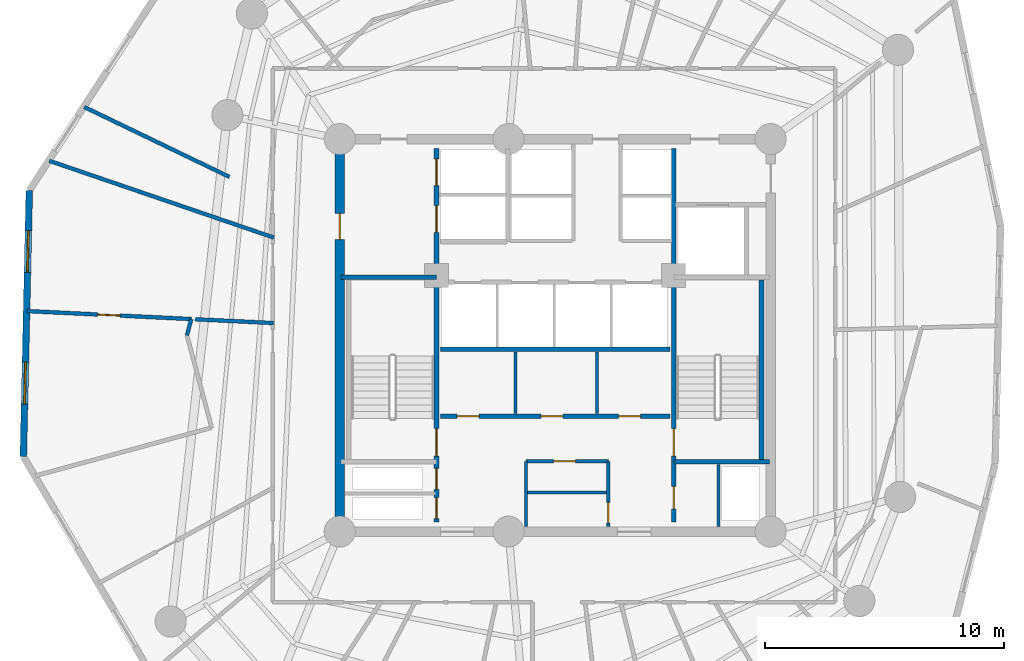
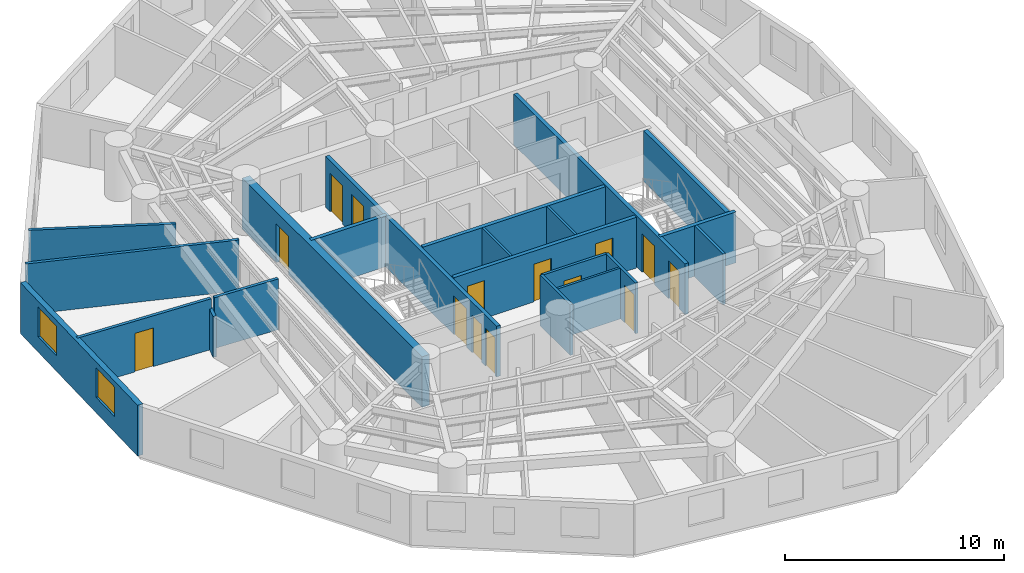
# One storey, part 4 of 8: 21 walls, 14 doors, 2 windows, 16 openings.
"""IFC4 building model written with IfcOpenShell, lengths in metres."""

from ifc_helpers import new_model, si_unit, direction, frame, frame_2d, origin, origin_with_axes, place, context, subcontext, project, spatial, rectangle, extrude, source, transform, mapped, material, layer, layer_set, type_object, element, fill, save


model = new_model("IFC4")

# Units and contexts
model_context = context("Model", 3, precision=1e-05, world=origin(), true_north=direction((0.0, 1.0)))
body_context = subcontext(model_context, "Body", "Model", "MODEL_VIEW")
ifc_project = project(units=[si_unit("LENGTHUNIT", "METRE"), si_unit("AREAUNIT", "SQUARE_METRE"), si_unit("VOLUMEUNIT", "CUBIC_METRE"), si_unit("PLANEANGLEUNIT", "RADIAN"), si_unit("MASSUNIT", "GRAM", prefix="KILO")], contexts=[model_context])

# Site, building, storey
site_placement = place(None, origin())
site = spatial("IfcSite", under=ifc_project, at=site_placement, CompositionType="ELEMENT")
building_placement = place(site_placement, origin())
building = spatial("IfcBuilding", under=site, at=building_placement, Name="Karkom Vertical University and Central Library", CompositionType="ELEMENT")
storey_placement = place(building_placement, frame((0.0, 0.0, 184.0)))
storey = spatial("IfcBuildingStorey", under=building, at=storey_placement, Name="L53", CompositionType="ELEMENT", Elevation=184.0)

# Wall, openings, windows
ifc_material_1 = material(Name="Brick-faced precast concrete C45/55", Category="masonry")
ifc_layer_1 = layer(ifc_material_1, 0.280029296875)
ifc_layer_set_1 = layer_set([ifc_layer_1], Name="Brick-faced precast concrete C45/55")
wall_type_1 = type_object("IfcWallType", Name="ENV-WL-BRK-280", PredefinedType="SOLIDWALL", material=ifc_layer_set_1)
wall_1_placement = place(storey_placement, frame((6.53076171875, 32.55322265625, 0.0), z_axis=(0.0, 0.0, 1.0), x_axis=(-0.022346429662, -0.999750287362, 0.0)))
wall_1 = element("IfcWall", 1, at=wall_1_placement, inside=storey, type_object=wall_type_1, Name="Level 53 Brick-Faced Precast Facade Wall 01", PredefinedType="SOLIDWALL", context=body_context, shape_type="SweptSolid", body=[
    extrude(rectangle(XDim=11.121826171875, YDim=0.280029296875, at=frame_2d((5.56103515625, 0.0))), origin(), (0.0, 0.0, 1.0), 2.824951171875),
])
opening_1_placement = place(wall_1_placement, frame((1.675537109375, 0.0, 0.85009765625)))
opening_1 = element("IfcOpeningElement", 2, at=opening_1_placement, cuts=wall_1, Name="Opening WN-08", PredefinedType="OPENING", context=body_context, shape_type="SweptSolid", body=[
    extrude(rectangle(XDim=1.75, YDim=1.64990234375, at=frame_2d((0.875, 0.824951171875))), frame((0.0, 0.14990234375, 0.0), z_axis=(0.0, -1.0, 0.0), x_axis=(1.0, 0.0, 0.0)), (0.0, 0.0, 1.0), 0.300048828125),
])
opening_2_placement = place(wall_1_placement, frame((7.176513671875, 0.0, 0.85009765625)))
opening_2 = element("IfcOpeningElement", 3, at=opening_2_placement, cuts=wall_1, Name="Opening WN-08", PredefinedType="OPENING", context=body_context, shape_type="SweptSolid", body=[
    extrude(rectangle(XDim=1.75, YDim=1.64990234375, at=frame_2d((0.875, 0.824951171875))), frame((0.0, 0.14990234375, 0.0), z_axis=(0.0, -1.0, 0.0), x_axis=(1.0, 0.0, 0.0)), (0.0, 0.0, 1.0), 0.300048828125),
])
ifc_material_2 = material(Name="Aluminium thermal-break frame with solar-control IGU", Category="aluminium")
window_type = type_object("IfcWindowType", Name="ENV-WIN-WN-08", PartitioningType="SINGLE_PANEL", PredefinedType="WINDOW", material=ifc_material_2)
shared_shape_1 = source(origin_with_axes(), body_context, "Body", "SweptSolid", [
    extrude(rectangle(XDim=1.75, YDim=1.64990234375, at=frame_2d((0.875, 0.824951171875))), frame((0.0, 0.030029296875, 0.0), z_axis=(0.0, -1.0, 0.0), x_axis=(1.0, 0.0, 0.0)), (0.0, 0.0, 1.0), 0.06005859375),
])
window_1_placement = place(opening_1_placement, origin())
window_1 = element("IfcWindow", 4, at=window_1_placement, inside=storey, type_object=window_type, Name="Level 53 Punched Window 1.1", OverallHeight=1.64990234375, OverallWidth=1.75, PartitioningType="SINGLE_PANEL", PredefinedType="WINDOW", context=body_context, shape_type="MappedRepresentation", body=[
    mapped(shared_shape_1, transform((0.0, 0.0, 0.0), scale=1.0)),
])
fill(opening_1, window_1)
window_2_placement = place(opening_2_placement, origin())
window_2 = element("IfcWindow", 5, at=window_2_placement, inside=storey, type_object=window_type, Name="Level 53 Punched Window 1.2", OverallHeight=1.64990234375, OverallWidth=1.75, PartitioningType="SINGLE_PANEL", PredefinedType="WINDOW", context=body_context, shape_type="MappedRepresentation", body=[
    mapped(shared_shape_1, transform((0.0, 0.0, 0.0), scale=1.0)),
])
fill(opening_2, window_2)

# Wall
ifc_material_3 = material(Name="Insulated metal-stud drywall 160mm", Category="gypsum")
ifc_layer_2 = layer(ifc_material_3, 0.159912109375)
ifc_layer_set_2 = layer_set([ifc_layer_2], Name="Insulated metal-stud drywall 160mm")
wall_type_2 = type_object("IfcWallType", Name="INT-WL-COR-160", PredefinedType="PARTITIONING", material=ifc_layer_set_2)
wall_2_placement = place(storey_placement, frame((16.74267578125, 30.584228515625, 0.0), z_axis=(0.0, 0.0, 1.0), x_axis=(-0.946188207644, 0.323616865623, 0.0)))
element("IfcWall", 6, at=wall_2_placement, inside=storey, type_object=wall_type_2, Name="Level 53 Interior Partition Wall L53-PW-042", PredefinedType="PARTITIONING", context=body_context, shape_type="SweptSolid", body=[
    extrude(rectangle(XDim=9.9091796875, YDim=0.159912109375, at=frame_2d((4.95458984375, 0.0))), origin(), (0.0, 0.0, 1.0), 2.824951171875),
])

# Wall, opening, door
wall_3_placement = place(storey_placement, frame((6.443115234375, 27.513671875, 0.0), z_axis=(0.0, 0.0, 1.0), x_axis=(0.998817369469, -0.048619568567, 0.0)))
wall_3 = element("IfcWall", 7, at=wall_3_placement, inside=storey, type_object=wall_type_2, Name="Level 53 Interior Partition Wall L53-PW-004", PredefinedType="PARTITIONING", context=body_context, shape_type="SweptSolid", body=[
    extrude(rectangle(XDim=6.8642578125, YDim=0.159912109375, at=frame_2d((3.43212890625, 0.0))), origin(), (0.0, 0.0, 1.0), 2.824951171875),
])
opening_3_placement = place(wall_3_placement, frame((2.939697265625, 0.0, 0.0)))
opening_3 = element("IfcOpeningElement", 8, at=opening_3_placement, cuts=wall_3, Name="Opening D-RM1", PredefinedType="OPENING", context=body_context, shape_type="SweptSolid", body=[
    extrude(rectangle(XDim=0.949951171875, YDim=2.14990234375, at=frame_2d((0.47509765625, 1.074951171875))), frame((0.0, 0.08984375, 0.0), z_axis=(0.0, -1.0, 0.0), x_axis=(1.0, 0.0, 0.0)), (0.0, 0.0, 1.0), 0.179931640625),
])
ifc_material_4 = material(Name="Solid-core oak veneer door", Category="wood")
door_type_1 = type_object("IfcDoorType", Name="INT-DR-RM1", OperationType="NOTDEFINED", PredefinedType="DOOR", material=ifc_material_4)
shared_shape_2 = source(origin_with_axes(), body_context, "Body", "SweptSolid", [
    extrude(rectangle(XDim=0.949951171875, YDim=2.14990234375, at=frame_2d((0.47509765625, 1.074951171875))), frame((0.0, 0.02490234375, 0.0), z_axis=(0.0, -1.0, 0.0), x_axis=(1.0, 0.0, 0.0)), (0.0, 0.0, 1.0), 0.050048828125),
])
door_1_placement = place(opening_3_placement, origin())
door_1 = element("IfcDoor", 9, at=door_1_placement, inside=storey, type_object=door_type_1, Name="Level 53 Room Entry Door 000", OperationType="SINGLE_SWING_RIGHT", OverallHeight=2.14990234375, OverallWidth=0.949951171875, PredefinedType="DOOR", context=body_context, shape_type="MappedRepresentation", body=[
    mapped(shared_shape_2, transform((0.0, 0.0, 0.0), scale=1.0)),
])
fill(opening_3, door_1)

# Walls
wall_4_placement = place(storey_placement, frame((14.890869140625, 33.119140625, 0.0), z_axis=(0.0, 0.0, 1.0), x_axis=(-0.900993794149, 0.43383197543, 0.0)))
element("IfcWall", 10, at=wall_4_placement, inside=storey, type_object=wall_type_2, Name="Level 53 Interior Partition Wall L53-PW-041", PredefinedType="PARTITIONING", context=body_context, shape_type="SweptSolid", body=[
    extrude(rectangle(XDim=6.731689453125, YDim=0.159912109375, at=frame_2d((3.36572265625, 0.0))), origin(), (0.0, 0.0, 1.0), 2.824951171875),
])
wall_5_placement = place(storey_placement, frame((13.462890625, 27.171875, 0.0), z_axis=(0.0, 0.0, 1.0), x_axis=(0.998818809561, -0.048589974968, 0.0)))
element("IfcWall", 11, at=wall_5_placement, inside=storey, type_object=wall_type_2, Name="Level 53 Interior Partition Wall L53-PW-006", PredefinedType="PARTITIONING", context=body_context, shape_type="SweptSolid", body=[
    extrude(rectangle(XDim=3.27099609375, YDim=0.159912109375, at=frame_2d((1.635498046875, 0.0))), origin(), (0.0, 0.0, 1.0), 2.824951171875),
])
wall_6_placement = place(storey_placement, frame((13.29931640625, 27.179931640625, 0.0), z_axis=(0.0, 0.0, 1.0), x_axis=(-0.258741864149, -0.965946503558, 0.0)))
element("IfcWall", 12, at=wall_6_placement, inside=storey, type_object=wall_type_2, Name="Level 53 Interior Partition Wall L53-PW-001", PredefinedType="PARTITIONING", context=body_context, shape_type="SweptSolid", body=[
    extrude(rectangle(XDim=0.703857421875, YDim=0.159912109375, at=frame_2d((0.35205078125, 0.0))), origin(), (0.0, 0.0, 1.0), 2.27490234375),
])
ifc_material_5 = material(Name="Moisture-resistant drywall 120mm", Category="gypsum")
ifc_layer_3 = layer(ifc_material_5, 0.1201171875)
ifc_layer_set_3 = layer_set([ifc_layer_3], Name="Moisture-resistant drywall 120mm")
wall_type_3 = type_object("IfcWallType", Name="INT-WL-INT-120", PredefinedType="PARTITIONING", material=ifc_layer_set_3)
wall_7_placement = place(storey_placement, frame((27.280029296875, 19.93994140625, 0.0), z_axis=(0.0, 0.0, 1.0), x_axis=(1.0, 0.0, 0.0)))
element("IfcWall", 13, at=wall_7_placement, inside=storey, type_object=wall_type_3, Name="Level 53 Interior Partition Wall L53-CW-K4-DIV", PredefinedType="PARTITIONING", context=body_context, shape_type="SweptSolid", body=[
    extrude(rectangle(XDim=3.43994140625, YDim=0.1201171875, at=frame_2d((1.719970703125, 0.0))), origin(), (0.0, 0.0, 1.0), 2.824951171875),
])
for number, where, z_axis, x_axis, name in (
    (14, (26.85009765625, 23.22705078125, 0.0), (0.0, 0.0, 1.0), (0.0, 1.0, 0.0), "Level 53 Interior Partition Wall L53-CW-B1-K4A"),
    (15, (30.25, 23.22705078125, 0.0), (0.0, 0.0, 1.0), (0.0, 1.0, 0.0), "Level 53 Interior Partition Wall L53-CW-B1-K4B"),
):
    element("IfcWall", number, at=place(storey_placement, frame(where, z_axis=z_axis, x_axis=x_axis)), inside=storey, type_object=wall_type_3, Name=name, PredefinedType="PARTITIONING", context=body_context, shape_type="SweptSolid", body=[
        extrude(rectangle(XDim=2.586669921875, YDim=0.1201171875, at=frame_2d((1.29345703125, 0.0))), origin(), (0.0, 0.0, 1.0), 2.824951171875),
    ])

# Wall, opening, door
ifc_material_6 = material(Name="Metal-stud gypsum partition 140mm", Category="gypsum")
ifc_layer_4 = layer(ifc_material_6, 0.139892578125)
ifc_layer_set_4 = layer_set([ifc_layer_4], Name="Metal-stud gypsum partition 140mm")
wall_type_4 = type_object("IfcWallType", Name="INT-WL-SUB-140", PredefinedType="PARTITIONING", material=ifc_layer_set_4)
wall_8_placement = place(storey_placement, frame((27.280029296875, 21.239990234375, 0.0), z_axis=(0.0, 0.0, 1.0), x_axis=(1.0, 0.0, 0.0)))
wall_8 = element("IfcWall", 16, at=wall_8_placement, inside=storey, type_object=wall_type_4, Name="Level 53 Interior Partition Wall L53-CW-KBAY-N", PredefinedType="PARTITIONING", context=body_context, shape_type="SweptSolid", body=[
    extrude(rectangle(XDim=3.43994140625, YDim=0.139892578125, at=frame_2d((1.719970703125, 0.0))), origin(), (0.0, 0.0, 1.0), 2.824951171875),
])
opening_4_placement = place(wall_8_placement, frame((1.14990234375, 0.0, 0.0)))
opening_4 = element("IfcOpeningElement", 17, at=opening_4_placement, cuts=wall_8, Name="Opening D-SVC1", PredefinedType="OPENING", context=body_context, shape_type="SweptSolid", body=[
    extrude(rectangle(XDim=0.919921875, YDim=2.10009765625, at=frame_2d((0.4599609375, 1.050048828125))), frame((0.0, 0.080078125, 0.0), z_axis=(0.0, -1.0, 0.0), x_axis=(1.0, 0.0, 0.0)), (0.0, 0.0, 1.0), 0.159912109375),
])
ifc_material_7 = material(Name="Painted timber service door", Category="wood")
door_type_2 = type_object("IfcDoorType", Name="INT-DR-SVC1", OperationType="NOTDEFINED", PredefinedType="DOOR", material=ifc_material_7)
shared_shape_3 = source(origin_with_axes(), body_context, "Body", "SweptSolid", [
    extrude(rectangle(XDim=0.919921875, YDim=2.10009765625, at=frame_2d((0.4599609375, 1.050048828125))), frame((0.0, 0.02490234375, 0.0), z_axis=(0.0, -1.0, 0.0), x_axis=(1.0, 0.0, 0.0)), (0.0, 0.0, 1.0), 0.050048828125),
])
door_2_placement = place(opening_4_placement, origin())
door_2 = element("IfcDoor", 18, at=door_2_placement, inside=storey, type_object=door_type_2, Name="Level 53 Valve Cupboard Door", OperationType="SINGLE_SWING_LEFT", OverallHeight=2.10009765625, OverallWidth=0.919921875, PredefinedType="DOOR", context=body_context, shape_type="MappedRepresentation", body=[
    mapped(shared_shape_3, transform((0.0, 0.0, 0.0), scale=1.0)),
])
fill(opening_4, door_2)

# Wall
wall_9_placement = place(storey_placement, frame((27.280029296875, 18.507080078125, 0.0), z_axis=(0.0, 0.0, 1.0), x_axis=(0.0, 1.0, 0.0)))
element("IfcWall", 19, at=wall_9_placement, inside=storey, type_object=wall_type_4, Name="Level 53 Interior Partition Wall L53-CW-KBAY-W", PredefinedType="PARTITIONING", context=body_context, shape_type="SweptSolid", body=[
    extrude(rectangle(XDim=2.73291015625, YDim=0.139892578125, at=frame_2d((1.366455078125, 0.0))), origin(), (0.0, 0.0, 1.0), 2.824951171875),
])

# Wall, opening, door
wall_10_placement = place(storey_placement, frame((30.719970703125, 18.507080078125, 0.0), z_axis=(0.0, 0.0, 1.0), x_axis=(0.0, 1.0, 0.0)))
wall_10 = element("IfcWall", 20, at=wall_10_placement, inside=storey, type_object=wall_type_4, Name="Level 53 Interior Partition Wall L53-CW-KBAY-E", PredefinedType="PARTITIONING", context=body_context, shape_type="SweptSolid", body=[
    extrude(rectangle(XDim=2.73291015625, YDim=0.139892578125, at=frame_2d((1.366455078125, 0.0))), origin(), (0.0, 0.0, 1.0), 2.824951171875),
])
opening_5_placement = place(wall_10_placement, frame((0.159912109375, 0.0, 0.0)))
opening_5 = element("IfcOpeningElement", 21, at=opening_5_placement, cuts=wall_10, Name="Opening FD-BTH1", PredefinedType="OPENING", context=body_context, shape_type="SweptSolid", body=[
    extrude(rectangle(XDim=0.860107421875, YDim=2.10009765625, at=frame_2d((0.43017578125, 1.050048828125))), frame((0.0, 0.080078125, 0.0), z_axis=(0.0, -1.0, 0.0), x_axis=(1.0, 0.0, 0.0)), (0.0, 0.0, 1.0), 0.159912109375),
])
ifc_material_8 = material(Name="Fire-rated moisture-resistant oak door", Category="wood")
door_type_3 = type_object("IfcDoorType", Name="INT-DR-FBTH1", OperationType="NOTDEFINED", PredefinedType="DOOR", material=ifc_material_8)
shared_shape_4 = source(origin_with_axes(), body_context, "Body", "SweptSolid", [
    extrude(rectangle(XDim=0.860107421875, YDim=2.10009765625, at=frame_2d((0.43017578125, 1.050048828125))), frame((0.0, 0.02490234375, 0.0), z_axis=(0.0, -1.0, 0.0), x_axis=(1.0, 0.0, 0.0)), (0.0, 0.0, 1.0), 0.050048828125),
])
door_3_placement = place(opening_5_placement, origin())
door_3 = element("IfcDoor", 22, at=door_3_placement, inside=storey, type_object=door_type_3, Name="Level 53 Metering Cupboard Door", OperationType="SINGLE_SWING_RIGHT", OverallHeight=2.10009765625, OverallWidth=0.860107421875, PredefinedType="DOOR", context=body_context, shape_type="MappedRepresentation", body=[
    mapped(shared_shape_4, transform((0.0, 0.0, 0.0), scale=1.0)),
])
fill(opening_5, door_3)

# Wall
ifc_layer_5 = layer(ifc_material_6, 0.139892578125)
ifc_layer_set_5 = layer_set([ifc_layer_5], Name="Metal-stud gypsum partition 140mm")
wall_type_5 = type_object("IfcWallType", Name="INT-WL-SUB-140H", PredefinedType="PARTITIONING", material=ifc_layer_set_5)
wall_11_placement = place(storey_placement, frame((35.320068359375, 18.507080078125, 0.0), z_axis=(0.0, 0.0, 1.0), x_axis=(0.0, 1.0, 0.0)))
element("IfcWall", 23, at=wall_11_placement, inside=storey, type_object=wall_type_5, Name="Level 53 Interior Partition Wall L53-CW-RIS-E", PredefinedType="PARTITIONING", context=body_context, shape_type="SweptSolid", body=[
    extrude(rectangle(XDim=2.603759765625, YDim=0.139892578125, at=frame_2d((1.3017578125, 0.0))), origin(), (0.0, 0.0, 1.0), 2.824951171875),
])

# Wall, opening, door
ifc_material_9 = material(Name="Concrete C50/60", Category="concrete")
ifc_layer_6 = layer(ifc_material_9, 0.39990234375)
ifc_layer_set_6 = layer_set([ifc_layer_6], Name="Concrete C50/60")
wall_type_6 = type_object("IfcWallType", Name="STR-WL-CW-400", PredefinedType="SHEAR", material=ifc_layer_set_6)
wall_12_placement = place(storey_placement, frame((19.5, 34.699951171875, 0.0), z_axis=(0.0, 0.0, 1.0), x_axis=(0.0, -1.0, 0.0)))
wall_12 = element("IfcWall", 24, at=wall_12_placement, inside=storey, type_object=wall_type_6, Name="Level 53 Central Core Shear Wall WW", PredefinedType="SHEAR", context=body_context, shape_type="SweptSolid", body=[
    extrude(rectangle(XDim=16.39990234375, YDim=0.39990234375, at=frame_2d((8.199951171875, 0.0))), origin(), (0.0, 0.0, 1.0), 2.824951171875),
])
opening_6_placement = place(wall_12_placement, frame((3.10009765625, 0.0, 0.0)))
opening_6 = element("IfcOpeningElement", 25, at=opening_6_placement, cuts=wall_12, Name="Opening FD-FFL", PredefinedType="OPENING", context=body_context, shape_type="SweptSolid", body=[
    extrude(rectangle(XDim=1.10009765625, YDim=2.14990234375, at=frame_2d((0.550048828125, 1.074951171875))), frame((0.0, 0.2099609375, 0.0), z_axis=(0.0, -1.0, 0.0), x_axis=(1.0, 0.0, 0.0)), (0.0, 0.0, 1.0), 0.419921875),
])
ifc_material_10 = material(Name="Painted steel smoke-seal fire door", Category="steel")
door_type_4 = type_object("IfcDoorType", Name="INT-DR-FFL", OperationType="NOTDEFINED", PredefinedType="DOOR", material=ifc_material_10)
shared_shape_5 = source(origin_with_axes(), body_context, "Body", "SweptSolid", [
    extrude(rectangle(XDim=1.10009765625, YDim=2.14990234375, at=frame_2d((0.550048828125, 1.074951171875))), frame((0.0, 0.02490234375, 0.0), z_axis=(0.0, -1.0, 0.0), x_axis=(1.0, 0.0, 0.0)), (0.0, 0.0, 1.0), 0.050048828125),
])
door_4_placement = place(opening_6_placement, origin())
door_4 = element("IfcDoor", 26, at=door_4_placement, inside=storey, type_object=door_type_4, Name="Level 53 West Corridor Firefighting Lobby Door", OperationType="SINGLE_SWING_RIGHT", OverallHeight=2.14990234375, OverallWidth=1.10009765625, PredefinedType="DOOR", context=body_context, shape_type="MappedRepresentation", body=[
    mapped(shared_shape_5, transform((0.0, 0.0, 0.0), scale=1.0)),
])
fill(opening_6, door_4)

# Wall, openings, doors
ifc_material_11 = material(Name="Concrete C45/55", Category="concrete")
ifc_layer_7 = layer(ifc_material_11, 0.199951171875)
ifc_layer_set_7 = layer_set([ifc_layer_7], Name="Concrete C45/55")
wall_type_7 = type_object("IfcWallType", Name="STR-WL-ST-200", PredefinedType="SHEAR", material=ifc_layer_set_7)
wall_13_placement = place(storey_placement, frame((23.544921875, 18.699951171875, 0.0), z_axis=(0.0, 0.0, 1.0), x_axis=(0.0, 1.0, 0.0)))
wall_13 = element("IfcWall", 27, at=wall_13_placement, inside=storey, type_object=wall_type_7, Name="Level 53 Core Shaft Wall L53-CW-ST1-E", PredefinedType="SHEAR", context=body_context, shape_type="SweptSolid", body=[
    extrude(rectangle(XDim=15.60009765625, YDim=0.199951171875, at=frame_2d((7.800048828125, 0.0))), origin(), (0.0, 0.0, 1.0), 2.824951171875),
])
opening_7_placement = place(wall_13_placement, frame((2.75, 0.0, 0.0)))
opening_7 = element("IfcOpeningElement", 28, at=opening_7_placement, cuts=wall_13, Name="Opening FD-ST1", PredefinedType="OPENING", context=body_context, shape_type="SweptSolid", body=[
    extrude(rectangle(XDim=1.14990234375, YDim=2.14990234375, at=frame_2d((0.574951171875, 1.074951171875))), frame((0.0, 0.10986328125, 0.0), z_axis=(0.0, -1.0, 0.0), x_axis=(1.0, 0.0, 0.0)), (0.0, 0.0, 1.0), 0.219970703125),
])
opening_8_placement = place(wall_13_placement, frame((0.139892578125, 0.0, 0.0)))
opening_8 = element("IfcOpeningElement", 29, at=opening_8_placement, cuts=wall_13, Name="Opening FD-RIS", PredefinedType="OPENING", context=body_context, shape_type="SweptSolid", body=[
    extrude(rectangle(XDim=0.8798828125, YDim=2.10009765625, at=frame_2d((0.43994140625, 1.050048828125))), frame((0.0, 0.10986328125, 0.0), z_axis=(0.0, -1.0, 0.0), x_axis=(1.0, 0.0, 0.0)), (0.0, 0.0, 1.0), 0.219970703125),
])
opening_9_placement = place(wall_13_placement, frame((1.360107421875, 0.0, 0.0)))
opening_9 = element("IfcOpeningElement", 30, at=opening_9_placement, cuts=wall_13, Name="Opening FD-RIS", PredefinedType="OPENING", context=body_context, shape_type="SweptSolid", body=[
    extrude(rectangle(XDim=0.8798828125, YDim=2.10009765625, at=frame_2d((0.43994140625, 1.050048828125))), frame((0.0, 0.10986328125, 0.0), z_axis=(0.0, -1.0, 0.0), x_axis=(1.0, 0.0, 0.0)), (0.0, 0.0, 1.0), 0.219970703125),
])
opening_10_placement = place(wall_13_placement, frame((12.10009765625, 0.0, 0.0)))
opening_10 = element("IfcOpeningElement", 31, at=opening_10_placement, cuts=wall_13, Name="Opening LD-FFL", PredefinedType="OPENING", context=body_context, shape_type="SweptSolid", body=[
    extrude(rectangle(XDim=1.1201171875, YDim=2.14990234375, at=frame_2d((0.56005859375, 1.074951171875))), frame((0.0, 0.10986328125, 0.0), z_axis=(0.0, -1.0, 0.0), x_axis=(1.0, 0.0, 0.0)), (0.0, 0.0, 1.0), 0.219970703125),
])
opening_11_placement = place(wall_13_placement, frame((14.050048828125, 0.0, 0.0)))
opening_11 = element("IfcOpeningElement", 32, at=opening_11_placement, cuts=wall_13, Name="Opening LD-FFL", PredefinedType="OPENING", context=body_context, shape_type="SweptSolid", body=[
    extrude(rectangle(XDim=1.1201171875, YDim=2.14990234375, at=frame_2d((0.56005859375, 1.074951171875))), frame((0.0, 0.10986328125, 0.0), z_axis=(0.0, -1.0, 0.0), x_axis=(1.0, 0.0, 0.0)), (0.0, 0.0, 1.0), 0.219970703125),
])
ifc_material_12 = material(Name="Painted steel acoustic fire door", Category="steel")
door_type_5 = type_object("IfcDoorType", Name="INT-DR-ST1", OperationType="NOTDEFINED", PredefinedType="DOOR", material=ifc_material_12)
shared_shape_6 = source(origin_with_axes(), body_context, "Body", "SweptSolid", [
    extrude(rectangle(XDim=1.14990234375, YDim=2.14990234375, at=frame_2d((0.574951171875, 1.074951171875))), frame((0.0, 0.02490234375, 0.0), z_axis=(0.0, -1.0, 0.0), x_axis=(1.0, 0.0, 0.0)), (0.0, 0.0, 1.0), 0.050048828125),
])
door_5_placement = place(opening_7_placement, origin())
door_5 = element("IfcDoor", 33, at=door_5_placement, inside=storey, type_object=door_type_5, Name="Level 53 Stair ST-1 Fire Door", OperationType="SINGLE_SWING_LEFT", OverallHeight=2.14990234375, OverallWidth=1.14990234375, PredefinedType="DOOR", context=body_context, shape_type="MappedRepresentation", body=[
    mapped(shared_shape_6, transform((0.0, 0.0, 0.0), scale=1.0)),
])
fill(opening_7, door_5)
ifc_material_13 = material(Name="Painted steel riser access door", Category="steel")
door_type_6 = type_object("IfcDoorType", Name="INT-DR-RIS", OperationType="NOTDEFINED", PredefinedType="DOOR", material=ifc_material_13)
shared_shape_7 = source(origin_with_axes(), body_context, "Body", "SweptSolid", [
    extrude(rectangle(XDim=0.8798828125, YDim=2.10009765625, at=frame_2d((0.43994140625, 1.050048828125))), frame((0.0, 0.02490234375, 0.0), z_axis=(0.0, -1.0, 0.0), x_axis=(1.0, 0.0, 0.0)), (0.0, 0.0, 1.0), 0.050048828125),
])
door_6_placement = place(opening_8_placement, origin())
door_6 = element("IfcDoor", 34, at=door_6_placement, inside=storey, type_object=door_type_6, Name="Level 53 Electrical Riser Access Door", OperationType="SINGLE_SWING_LEFT", OverallHeight=2.10009765625, OverallWidth=0.8798828125, PredefinedType="DOOR", context=body_context, shape_type="MappedRepresentation", body=[
    mapped(shared_shape_7, transform((0.0, 0.0, 0.0), scale=1.0)),
])
fill(opening_8, door_6)
door_7_placement = place(opening_9_placement, origin())
door_7 = element("IfcDoor", 35, at=door_7_placement, inside=storey, type_object=door_type_6, Name="Level 53 Telecom Riser Access Door", OperationType="SINGLE_SWING_RIGHT", OverallHeight=2.10009765625, OverallWidth=0.8798828125, PredefinedType="DOOR", context=body_context, shape_type="MappedRepresentation", body=[
    mapped(shared_shape_7, transform((0.0, 0.0, 0.0), scale=1.0)),
])
fill(opening_9, door_7)
ifc_material_14 = material(Name="Fire-rated stainless-steel landing door", Category="steel")
door_type_7 = type_object("IfcDoorType", Name="INT-DR-LD-FFL", OperationType="SLIDING_TO_LEFT", PredefinedType="DOOR", material=ifc_material_14)
shared_shape_8 = source(origin_with_axes(), body_context, "Body", "SweptSolid", [
    extrude(rectangle(XDim=1.1201171875, YDim=2.14990234375, at=frame_2d((0.56005859375, 1.074951171875))), frame((0.0, 0.02490234375, 0.0), z_axis=(0.0, -1.0, 0.0), x_axis=(1.0, 0.0, 0.0)), (0.0, 0.0, 1.0), 0.050048828125),
])
door_8_placement = place(opening_10_placement, origin())
door_8 = element("IfcDoor", 36, at=door_8_placement, inside=storey, type_object=door_type_7, Name="Level 53 Firefighting Lift FFL-1 Landing Door", OperationType="SLIDING_TO_LEFT", OverallHeight=2.14990234375, OverallWidth=1.1201171875, PredefinedType="DOOR", context=body_context, shape_type="MappedRepresentation", body=[
    mapped(shared_shape_8, transform((0.0, 0.0, 0.0), scale=1.0)),
])
fill(opening_10, door_8)
door_9_placement = place(opening_11_placement, origin())
door_9 = element("IfcDoor", 37, at=door_9_placement, inside=storey, type_object=door_type_7, Name="Level 53 Firefighting Lift FFL-2 Landing Door", OperationType="SLIDING_TO_RIGHT", OverallHeight=2.14990234375, OverallWidth=1.1201171875, PredefinedType="DOOR", context=body_context, shape_type="MappedRepresentation", body=[
    mapped(shared_shape_8, transform((0.0, 0.0, 0.0), scale=1.0)),
])
fill(opening_11, door_9)

wall_14_placement = place(storey_placement, frame((33.455078125, 18.699951171875, 0.0), z_axis=(0.0, 0.0, 1.0), x_axis=(0.0, 1.0, 0.0)))
wall_14 = element("IfcWall", 38, at=wall_14_placement, inside=storey, type_object=wall_type_7, Name="Level 53 Core Shaft Wall L53-CW-ST2-W", PredefinedType="SHEAR", context=body_context, shape_type="SweptSolid", body=[
    extrude(rectangle(XDim=15.60009765625, YDim=0.199951171875, at=frame_2d((7.800048828125, 0.0))), origin(), (0.0, 0.0, 1.0), 2.824951171875),
])
opening_12_placement = place(wall_14_placement, frame((2.75, 0.0, 0.0)))
opening_12 = element("IfcOpeningElement", 39, at=opening_12_placement, cuts=wall_14, Name="Opening FD-ST1", PredefinedType="OPENING", context=body_context, shape_type="SweptSolid", body=[
    extrude(rectangle(XDim=1.14990234375, YDim=2.14990234375, at=frame_2d((0.574951171875, 1.074951171875))), frame((0.0, 0.10986328125, 0.0), z_axis=(0.0, -1.0, 0.0), x_axis=(1.0, 0.0, 0.0)), (0.0, 0.0, 1.0), 0.219970703125),
])
opening_13_placement = place(wall_14_placement, frame((0.550048828125, 0.0, 0.0)))
opening_13 = element("IfcOpeningElement", 40, at=opening_13_placement, cuts=wall_14, Name="Opening D-WC1", PredefinedType="OPENING", context=body_context, shape_type="SweptSolid", body=[
    extrude(rectangle(XDim=0.93994140625, YDim=2.10009765625, at=frame_2d((0.469970703125, 1.050048828125))), frame((0.0, 0.10986328125, 0.0), z_axis=(0.0, -1.0, 0.0), x_axis=(1.0, 0.0, 0.0)), (0.0, 0.0, 1.0), 0.219970703125),
])
door_10_placement = place(opening_12_placement, origin())
door_10 = element("IfcDoor", 41, at=door_10_placement, inside=storey, type_object=door_type_5, Name="Level 53 Stair ST-2 Fire Door", OperationType="SINGLE_SWING_RIGHT", OverallHeight=2.14990234375, OverallWidth=1.14990234375, PredefinedType="DOOR", context=body_context, shape_type="MappedRepresentation", body=[
    mapped(shared_shape_6, transform((0.0, 0.0, 0.0), scale=1.0)),
])
fill(opening_12, door_10)
ifc_material_15 = material(Name="Fire-rated laminate moisture-resistant door", Category="wood")
door_type_8 = type_object("IfcDoorType", Name="INT-DR-WC1", OperationType="NOTDEFINED", PredefinedType="DOOR", material=ifc_material_15)
shared_shape_9 = source(origin_with_axes(), body_context, "Body", "SweptSolid", [
    extrude(rectangle(XDim=0.93994140625, YDim=2.10009765625, at=frame_2d((0.469970703125, 1.050048828125))), frame((0.0, 0.02490234375, 0.0), z_axis=(0.0, -1.0, 0.0), x_axis=(1.0, 0.0, 0.0)), (0.0, 0.0, 1.0), 0.050048828125),
])
door_11_placement = place(opening_13_placement, origin())
door_11 = element("IfcDoor", 42, at=door_11_placement, inside=storey, type_object=door_type_8, Name="Level 53 Accessible WC Door", OperationType="SINGLE_SWING_LEFT", OverallHeight=2.10009765625, OverallWidth=0.93994140625, PredefinedType="DOOR", context=body_context, shape_type="MappedRepresentation", body=[
    mapped(shared_shape_9, transform((0.0, 0.0, 0.0), scale=1.0)),
])
fill(opening_13, door_11)

wall_15_placement = place(storey_placement, frame((23.699951171875, 23.1201171875, 0.0), z_axis=(0.0, 0.0, 1.0), x_axis=(1.0, 0.0, 0.0)))
wall_15 = element("IfcWall", 43, at=wall_15_placement, inside=storey, type_object=wall_type_7, Name="Level 53 Core Shaft Wall L53-CW-B1-S", PredefinedType="SHEAR", context=body_context, shape_type="SweptSolid", body=[
    extrude(rectangle(XDim=9.60009765625, YDim=0.199951171875, at=frame_2d((4.800048828125, 0.0))), origin(), (0.0, 0.0, 1.0), 2.824951171875),
])
opening_14_placement = place(wall_15_placement, frame((0.699951171875, 0.0, 0.0)))
opening_14 = element("IfcOpeningElement", 44, at=opening_14_placement, cuts=wall_15, Name="Opening D-SVC1", PredefinedType="OPENING", context=body_context, shape_type="SweptSolid", body=[
    extrude(rectangle(XDim=0.919921875, YDim=2.10009765625, at=frame_2d((0.4599609375, 1.050048828125))), frame((0.0, 0.10986328125, 0.0), z_axis=(0.0, -1.0, 0.0), x_axis=(1.0, 0.0, 0.0)), (0.0, 0.0, 1.0), 0.219970703125),
])
opening_15_placement = place(wall_15_placement, frame((4.199951171875, 0.0, 0.0)))
opening_15 = element("IfcOpeningElement", 45, at=opening_15_placement, cuts=wall_15, Name="Opening D-SVC1", PredefinedType="OPENING", context=body_context, shape_type="SweptSolid", body=[
    extrude(rectangle(XDim=0.919921875, YDim=2.10009765625, at=frame_2d((0.4599609375, 1.050048828125))), frame((0.0, 0.10986328125, 0.0), z_axis=(0.0, -1.0, 0.0), x_axis=(1.0, 0.0, 0.0)), (0.0, 0.0, 1.0), 0.219970703125),
])
opening_16_placement = place(wall_15_placement, frame((7.449951171875, 0.0, 0.0)))
opening_16 = element("IfcOpeningElement", 46, at=opening_16_placement, cuts=wall_15, Name="Opening D-SVC1", PredefinedType="OPENING", context=body_context, shape_type="SweptSolid", body=[
    extrude(rectangle(XDim=0.919921875, YDim=2.10009765625, at=frame_2d((0.4599609375, 1.050048828125))), frame((0.0, 0.10986328125, 0.0), z_axis=(0.0, -1.0, 0.0), x_axis=(1.0, 0.0, 0.0)), (0.0, 0.0, 1.0), 0.219970703125),
])
door_12_placement = place(opening_14_placement, origin())
door_12 = element("IfcDoor", 47, at=door_12_placement, inside=storey, type_object=door_type_2, Name="Level 53 B1 Store A Door", OperationType="SINGLE_SWING_RIGHT", OverallHeight=2.10009765625, OverallWidth=0.919921875, PredefinedType="DOOR", context=body_context, shape_type="MappedRepresentation", body=[
    mapped(shared_shape_3, transform((0.0, 0.0, 0.0), scale=1.0)),
])
fill(opening_14, door_12)
door_13_placement = place(opening_15_placement, origin())
door_13 = element("IfcDoor", 48, at=door_13_placement, inside=storey, type_object=door_type_2, Name="Level 53 B1 Comms Door", OperationType="SINGLE_SWING_LEFT", OverallHeight=2.10009765625, OverallWidth=0.919921875, PredefinedType="DOOR", context=body_context, shape_type="MappedRepresentation", body=[
    mapped(shared_shape_3, transform((0.0, 0.0, 0.0), scale=1.0)),
])
fill(opening_15, door_13)
door_14_placement = place(opening_16_placement, origin())
door_14 = element("IfcDoor", 49, at=door_14_placement, inside=storey, type_object=door_type_2, Name="Level 53 B1 Store C Door", OperationType="SINGLE_SWING_RIGHT", OverallHeight=2.10009765625, OverallWidth=0.919921875, PredefinedType="DOOR", context=body_context, shape_type="MappedRepresentation", body=[
    mapped(shared_shape_3, transform((0.0, 0.0, 0.0), scale=1.0)),
])
fill(opening_16, door_14)

# Walls
wall_16_placement = place(storey_placement, frame((23.699951171875, 25.919921875, 0.0), z_axis=(0.0, 0.0, 1.0), x_axis=(1.0, 0.0, 0.0)))
element("IfcWall", 50, at=wall_16_placement, inside=storey, type_object=wall_type_7, Name="Level 53 Core Shaft Wall L53-CW-B1-N", PredefinedType="SHEAR", context=body_context, shape_type="SweptSolid", body=[
    extrude(rectangle(XDim=9.60009765625, YDim=0.199951171875, at=frame_2d((4.800048828125, 0.0))), origin(), (0.0, 0.0, 1.0), 2.824951171875),
])
wall_17_placement = place(storey_placement, frame((37.125, 21.320068359375, 0.0), z_axis=(0.0, 0.0, 1.0), x_axis=(0.0, 1.0, 0.0)))
element("IfcWall", 51, at=wall_17_placement, inside=storey, type_object=wall_type_7, Name="Level 53 Core Shaft Wall L53-CW-ST2-E", PredefinedType="SHEAR", context=body_context, shape_type="SweptSolid", body=[
    extrude(rectangle(XDim=7.5, YDim=0.199951171875, at=frame_2d((3.75, 0.0))), origin(), (0.0, 0.0, 1.0), 2.824951171875),
])
for number, where, z_axis, x_axis, name in (
    (52, (33.455078125, 21.215087890625, 0.0), (0.0, 0.0, 1.0), (1.0, 0.0, 0.0), "Level 53 Core Shaft Wall L53-CW-ST2-S"),
    (53, (19.550048828125, 28.925048828125, 0.0), (0.0, 0.0, 1.0), (1.0, 0.0, 0.0), "Level 53 Core Shaft Wall L53-CW-ST1-N"),
):
    element("IfcWall", number, at=place(storey_placement, frame(where, z_axis=z_axis, x_axis=x_axis)), inside=storey, type_object=wall_type_7, Name=name, PredefinedType="SHEAR", context=body_context, shape_type="SweptSolid", body=[
        extrude(rectangle(XDim=3.994873046875, YDim=0.199951171875, at=frame_2d((1.99755859375, 0.0))), origin(), (0.0, 0.0, 1.0), 2.824951171875),
    ])

save(model, "model.ifc")
